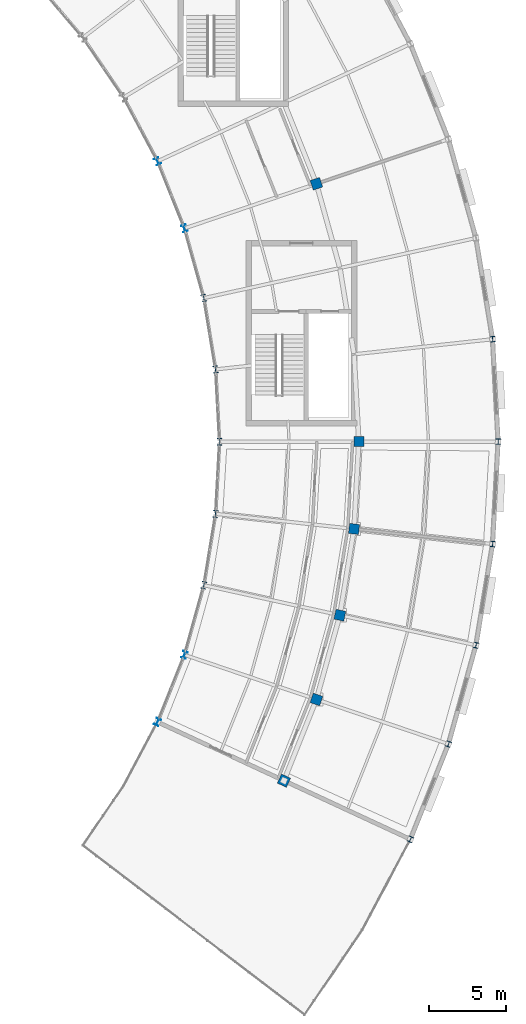
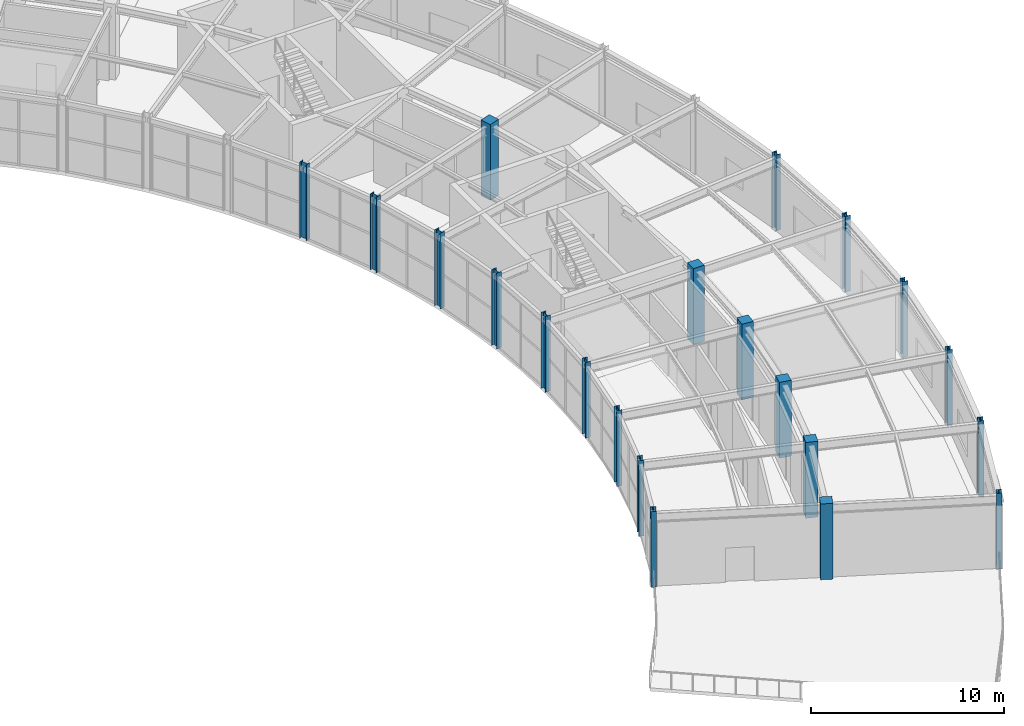
# One storey, part 13 of 108: 21 columns.
"""IFC4 building model written with IfcOpenShell, lengths in metres."""

from ifc_helpers import new_model, si_unit, direction, frame, origin, origin_2d, place, context, subcontext, project, spatial, rectangle, i_section, extrude, material, material_profile, profile_set, type_object, element, save


model = new_model("IFC4")

# Units and contexts
model_context = context("Model", 3, precision=1e-05, world=origin(), true_north=direction((0.0, 1.0)))
body_context = subcontext(model_context, "Body", "Model", "MODEL_VIEW")
ifc_project = project(units=[si_unit("LENGTHUNIT", "METRE"), si_unit("AREAUNIT", "SQUARE_METRE"), si_unit("VOLUMEUNIT", "CUBIC_METRE"), si_unit("PLANEANGLEUNIT", "RADIAN"), si_unit("MASSUNIT", "GRAM", prefix="KILO")], contexts=[model_context])

# Site, building, storey
site_placement = place(None, origin())
site = spatial("IfcSite", under=ifc_project, at=site_placement, CompositionType="ELEMENT")
building_placement = place(site_placement, origin())
building = spatial("IfcBuilding", under=site, at=building_placement, Name="Tarnveldt Headland Concert Hall", CompositionType="ELEMENT")
storey_placement = place(building_placement, frame((0.0, 0.0, 9.60009765625)))
storey = spatial("IfcBuildingStorey", under=building, at=storey_placement, Name="L02", CompositionType="ELEMENT", Elevation=9.60009765625)

# Columns
ifc_material_1 = material(Name="Concrete C40/50", Category="concrete")
ifc_material_profile_1 = material_profile(ifc_material_1, rectangle(XDim=0.64990234375, YDim=0.64990234375, at=origin_2d()), Name="RC 650x650", Category="concrete")
ifc_profile_set_1 = profile_set([ifc_material_profile_1], Name="Concrete C40/50")
column_type_1 = type_object("IfcColumnType", Name="CC-650", PredefinedType="COLUMN", material=ifc_profile_set_1)
for number, where, z_axis, x_axis, name in (
    (1, (164.67041015625, 38.115234375, 0.0), (0.0, 0.0, 1.0), (0.907117485088, -0.42087749791, 0.0), "Column V3C05MD L02"),
    (2, (166.7646484375, 43.356689453125, 0.0), (0.0, 0.0, 1.0), (0.947378020466, -0.320116988518, 0.0), "Column V3C06MD L02"),
    (3, (168.2783203125, 48.79443359375, 0.0), (0.0, 0.0, 1.0), (0.976522126798, -0.215417120661, 0.0), "Column V3C07MD L02"),
    (4, (169.193603515625, 54.364013671875, 0.0), (0.0, 0.0, 1.0), (0.994113204519, -0.108346373271, 0.0), "Column V3C08MD L02"),
    (5, (169.5, 60.0, 0.0), (0.0, 0.0, 1.0), (1.0, 0.0, 0.0), "Column V3C09MD L02"),
    (6, (166.7646484375, 76.643310546875, 0.0), (0.0, 0.0, 1.0), (0.947378020466, 0.320116988518, 0.0), "Column V3C12MD L02"),
):
    element("IfcColumn", number, at=place(storey_placement, frame(where, z_axis=z_axis, x_axis=x_axis)), inside=storey, type_object=column_type_1, Name=name, PredefinedType="COLUMN", context=body_context, shape_type="SweptSolid", body=[
        extrude(rectangle(XDim=0.64990234375, YDim=0.64990234375, at=origin_2d()), origin(), (0.0, 0.0, 1.0), 4.7998046875),
    ])
ifc_material_2 = material(Name="Steel S355", Category="steel")
ifc_material_profile_2 = material_profile(ifc_material_2, i_section(OverallWidth=0.300048828125, OverallDepth=0.360107421875, WebThickness=0.012451171875, FlangeThickness=0.0224609375, FilletRadius=0.027099609375, at=origin_2d()), Name="HEB360", Category="steel")
ifc_profile_set_2 = profile_set([ifc_material_profile_2], Name="Steel S355")
column_type_2 = type_object("IfcColumnType", Name="SC-HEB360", PredefinedType="COLUMN", material=ifc_profile_set_2)
for number, where, z_axis, x_axis, name in (
    (7, (172.834716796875, 34.327392578125, 0.0), (0.0, 0.0, 1.0), (0.907117485088, -0.42087749791, 0.0), "Column V3C05OUT L02"),
    (8, (175.291259765625, 40.476318359375, 0.0), (0.0, 0.0, 1.0), (0.947378020466, -0.320116988518, 0.0), "Column V3C06OUT L02"),
    (9, (177.06689453125, 46.85498046875, 0.0), (0.0, 0.0, 1.0), (0.976522126798, -0.215417120661, 0.0), "Column V3C07OUT L02"),
    (10, (178.140625, 53.388427734375, 0.0), (0.0, 0.0, 1.0), (0.994113204519, -0.108346373271, 0.0), "Column V3C08OUT L02"),
    (11, (178.5, 60.0, 0.0), (0.0, 0.0, 1.0), (1.0, 0.0, 0.0), "Column V3C09OUT L02"),
    (12, (178.140625, 66.611572265625, 0.0), (0.0, 0.0, 1.0), (0.994113204519, 0.108346373271, 0.0), "Column V3C10OUT L02"),
):
    element("IfcColumn", number, at=place(storey_placement, frame(where, z_axis=z_axis, x_axis=x_axis)), inside=storey, type_object=column_type_2, Name=name, PredefinedType="COLUMN", context=body_context, shape_type="SweptSolid", body=[
        extrude(i_section(OverallWidth=0.300048828125, OverallDepth=0.360107421875, WebThickness=0.012451171875, FlangeThickness=0.0224609375, FilletRadius=0.027099609375, at=origin_2d()), origin(), (0.0, 0.0, 1.0), 4.7998046875),
    ])
ifc_material_profile_3 = material_profile(ifc_material_2, i_section(OverallWidth=0.300048828125, OverallDepth=0.449951171875, WebThickness=0.013916015625, FlangeThickness=0.02587890625, FilletRadius=0.027099609375, at=origin_2d()), Name="HEB450", Category="steel")
ifc_profile_set_3 = profile_set([ifc_material_profile_3], Name="Steel S355")
column_type_3 = type_object("IfcColumnType", Name="SC-HEB450", PredefinedType="COLUMN", material=ifc_profile_set_3)
for number, where, z_axis, x_axis, name in (
    (13, (156.50634765625, 41.903076171875, 0.0), (0.0, 0.0, 1.0), (0.907117485088, -0.42087749791, 0.0), "Column V3C05IN L02"),
    (14, (158.238037109375, 46.2373046875, 0.0), (0.0, 0.0, 1.0), (0.947378020466, -0.320116988518, 0.0), "Column V3C06IN L02"),
    (15, (159.48974609375, 50.73388671875, 0.0), (0.0, 0.0, 1.0), (0.976522126798, -0.215417120661, 0.0), "Column V3C07IN L02"),
    (16, (160.24658203125, 55.33935546875, 0.0), (0.0, 0.0, 1.0), (0.994113204519, -0.108346373271, 0.0), "Column V3C08IN L02"),
    (17, (160.5, 60.0, 0.0), (0.0, 0.0, 1.0), (1.0, 0.0, 0.0), "Column V3C09IN L02"),
    (18, (160.24658203125, 64.66064453125, 0.0), (0.0, 0.0, 1.0), (0.994113204519, 0.108346373271, 0.0), "Column V3C10IN L02"),
    (19, (159.48974609375, 69.26611328125, 0.0), (0.0, 0.0, 1.0), (0.976522126798, 0.215417120661, 0.0), "Column V3C11IN L02"),
    (20, (158.238037109375, 73.7626953125, 0.0), (0.0, 0.0, 1.0), (0.947378020466, 0.320116988518, 0.0), "Column V3C12IN L02"),
    (21, (156.50634765625, 78.096923828125, 0.0), (0.0, 0.0, 1.0), (0.907117485088, 0.42087749791, 0.0), "Column V3C13IN L02"),
):
    element("IfcColumn", number, at=place(storey_placement, frame(where, z_axis=z_axis, x_axis=x_axis)), inside=storey, type_object=column_type_3, Name=name, PredefinedType="COLUMN", context=body_context, shape_type="SweptSolid", body=[
        extrude(i_section(OverallWidth=0.300048828125, OverallDepth=0.449951171875, WebThickness=0.013916015625, FlangeThickness=0.02587890625, FilletRadius=0.027099609375, at=origin_2d()), origin(), (0.0, 0.0, 1.0), 4.7998046875),
    ])

save(model, "model.ifc")
